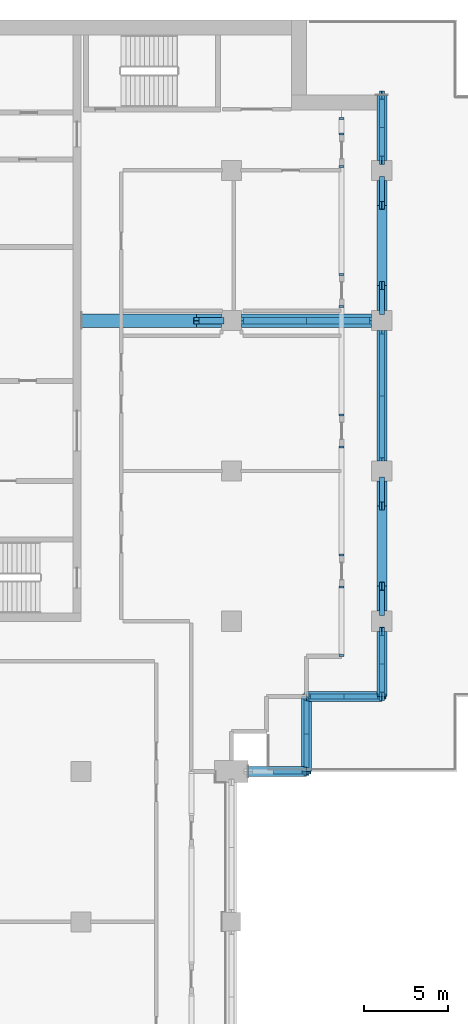
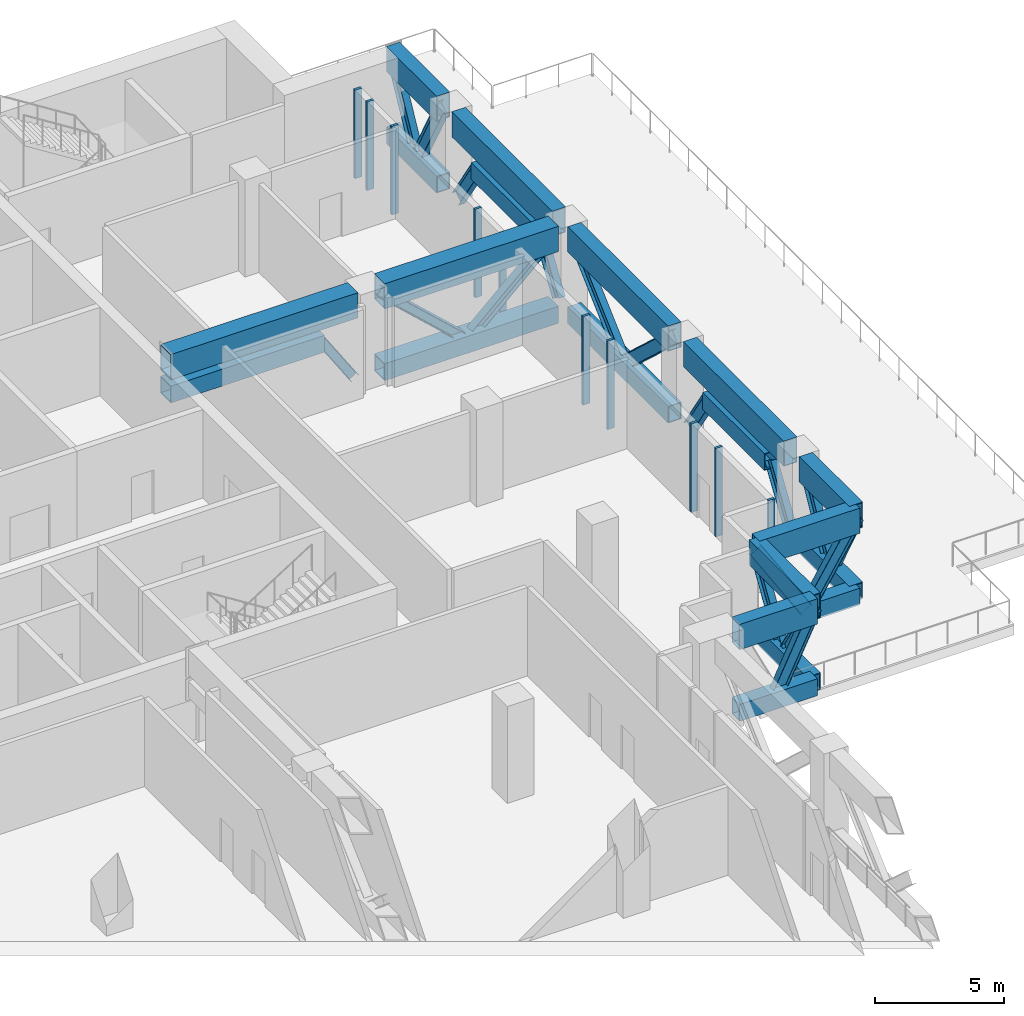
# One storey, part 3 of 20: 48 members.
"""IFC4 building model written with IfcOpenShell, lengths in metres."""

import ifcopenshell
import ifcopenshell.guid

model = None  # the IFC model being written
_history = None  # IfcOwnerHistory: only IFC2X3 demands one
_inside = {}  # id of a spatial element -> (the spatial element, [elements in it])
_under = {}  # id of a project, library or spatial element -> (it, [spatial elements below it])
_declared = {}  # id of a project -> (the project, [libraries it declares])
_typed = {}  # id of a type object -> (the type object, [elements of that type])
_made_of = {}  # id of a material, layer set ... -> (it, [elements and type objects made of it])


def new_model(schema):
    """Start an empty IFC model of exactly this schema.

    Asked for "IFC4X3", IfcOpenShell would pick the latest addendum, in which some entities
    have other attributes; the version numbers below select the first issue.
    IFC2X3 requires an IfcOwnerHistory on every rooted entity: one is made here for all.
    """
    global model, _history
    if schema == "IFC4X3":
        model = ifcopenshell.file(schema_version=(4, 3, 0, 0))
    else:
        model = ifcopenshell.file(schema=schema)
    _inside.clear()
    _under.clear()
    _declared.clear()
    _typed.clear()
    _made_of.clear()
    _history = None
    if model.schema == "IFC2X3":
        org = make("IfcOrganization", Name="unknown")
        user = make(
            "IfcPersonAndOrganization",
            ThePerson=make("IfcPerson", FamilyName="unknown"),
            TheOrganization=org,
        )
        app = make(
            "IfcApplication",
            ApplicationDeveloper=org,
            Version="unknown",
            ApplicationFullName="unknown",
            ApplicationIdentifier="unknown",
        )
        _history = make(
            "IfcOwnerHistory",
            OwningUser=user,
            OwningApplication=app,
            ChangeAction="ADDED",
            CreationDate=0,
        )
    return model


def make(cls, **values):
    """One entity of the class cls with the attributes given. An attribute that is None is left unset."""
    return model.create_entity(
        cls, **{name: value for name, value in values.items() if value is not None}
    )


def rooted(cls, **values):
    """An entity with a GlobalId (a new one), such as an element, a storey or a relation."""
    return make(cls, GlobalId=ifcopenshell.guid.new(), OwnerHistory=_history, **values)


def si_unit(unit_type, name, prefix=None):
    """IfcSIUnit, for example si_unit("LENGTHUNIT", "METRE", prefix="MILLI")."""
    return make("IfcSIUnit", UnitType=unit_type, Prefix=prefix, Name=name)


def assignment(units):
    """IfcUnitAssignment: the units of a project."""
    return None if units is None else make("IfcUnitAssignment", Units=units)


def point(xyz):
    """IfcCartesianPoint."""
    return None if xyz is None else make("IfcCartesianPoint", Coordinates=xyz)


def direction(xyz):
    """IfcDirection."""
    return None if xyz is None else make("IfcDirection", DirectionRatios=xyz)


def frame(location, z_axis=None, x_axis=None):
    """IfcAxis2Placement3D, a coordinate frame: its origin and axes. An axis left out is left unset."""
    return make(
        "IfcAxis2Placement3D",
        Location=point(location),
        Axis=direction(z_axis),
        RefDirection=direction(x_axis),
    )


def frame_2d(location, x_axis=None):
    """IfcAxis2Placement2D, a coordinate frame in the plane: its origin and x axis."""
    return make(
        "IfcAxis2Placement2D", Location=point(location), RefDirection=direction(x_axis)
    )


def origin():
    """The frame at (0, 0, 0) with its axes left unset."""
    return frame((0.0, 0.0, 0.0))


def origin_2d():
    """The frame at (0, 0) in the plane with its x axis left unset."""
    return frame_2d((0.0, 0.0))


def place(relative_to, where):
    """IfcLocalPlacement: puts the frame where relative to a parent placement (None: the world)."""
    return make(
        "IfcLocalPlacement", PlacementRelTo=relative_to, RelativePlacement=where
    )


def context(
    kind, dimensions, precision=None, world=None, true_north=None, identifier=None
):
    """IfcGeometricRepresentationContext, for example the 3D "Model" context."""
    return make(
        "IfcGeometricRepresentationContext",
        ContextIdentifier=identifier,
        ContextType=kind,
        CoordinateSpaceDimension=dimensions,
        Precision=precision,
        WorldCoordinateSystem=world,
        TrueNorth=true_north,
    )


def subcontext(parent, identifier, kind, view, scale=None):
    """IfcGeometricRepresentationSubContext, for example "Body" below "Model"."""
    return make(
        "IfcGeometricRepresentationSubContext",
        ContextIdentifier=identifier,
        ContextType=kind,
        ParentContext=parent,
        TargetScale=scale,
        TargetView=view,
    )


def project(units=None, contexts=None):
    """IfcProject with its units and contexts."""
    return rooted(
        "IfcProject",
        Name="project",
        RepresentationContexts=contexts,
        UnitsInContext=assignment(units),
    )


def spatial(cls, under=None, at=None, **own):
    """A site, building, storey or space (cls), placed at a placement, below another one or the project."""
    s = rooted(cls, ObjectPlacement=at, **own)
    if under is not None:
        _under.setdefault(under.id(), (under, []))[1].append(s)
    return s


def profile(cls, at=None, kind="AREA", **sizes):
    """A parametric profile (cls). Its sizes go by their IFC names, for example OverallWidth=200.0."""
    return make(cls, ProfileType=kind, Position=at, **sizes)


def rectangle(**sizes):
    """IfcRectangleProfileDef."""
    return profile("IfcRectangleProfileDef", **sizes)


def hollow_rectangle(**sizes):
    """IfcRectangleHollowProfileDef."""
    return profile("IfcRectangleHollowProfileDef", **sizes)


def i_section(**sizes):
    """IfcIShapeProfileDef."""
    return profile("IfcIShapeProfileDef", **sizes)


def extrude(swept, where, along, depth):
    """IfcExtrudedAreaSolid: the profile swept, set in the frame where, extruded along a direction by depth."""
    return make(
        "IfcExtrudedAreaSolid",
        SweptArea=swept,
        Position=where,
        ExtrudedDirection=direction(along),
        Depth=depth,
    )


def shape(context_of_items, identifier, shape_type, items):
    """IfcShapeRepresentation: the items that make up one representation, for example the "Body"."""
    return make(
        "IfcShapeRepresentation",
        ContextOfItems=context_of_items,
        RepresentationIdentifier=identifier,
        RepresentationType=shape_type,
        Items=items,
    )


def material(Name=None, Category=None):
    """IfcMaterial."""
    return make("IfcMaterial", Name=Name, Category=Category)


def material_profile(
    of_material, cross_section, Name=None, Category=None, Priority=None
):
    """IfcMaterialProfile: a cross section and its material."""
    return make(
        "IfcMaterialProfile",
        Name=Name,
        Material=of_material,
        Profile=cross_section,
        Priority=Priority,
        Category=Category,
    )


def profile_set(profiles, Name=None, composite=None):
    """IfcMaterialProfileSet."""
    return make(
        "IfcMaterialProfileSet",
        Name=Name,
        MaterialProfiles=profiles,
        CompositeProfile=composite,
    )


def made_of(thing, what):
    """Note that an element or type object is made of a material, layer set ...; save() writes the relation."""
    if what is not None:
        _made_of.setdefault(what.id(), (what, []))[1].append(thing)
    return thing


def type_object(cls, material=None, **own):
    """A type object (cls), such as IfcWallType, which elements share."""
    return made_of(rooted(cls, **own), material)


def element(
    cls,
    number,
    at=None,
    inside=None,
    cuts=None,
    type_object=None,
    material=None,
    context=None,
    identifier="Body",
    shape_type=None,
    held_by="IfcProductDefinitionShape",
    body=None,
    shapes=None,
    **own,
):
    """One element of the class cls, such as IfcWall. Its Tag is "e" and its number.

    at: its placement. inside: the storey or other place that contains it. cuts: it is an
    opening in that element (IfcRelVoidsElement). A single representation is given by context,
    identifier, shape_type and body (its items); several are given by shapes. held_by: the class
    of the entity that holds the representations. save() writes the other relations.
    """
    e = rooted(cls, Tag="e%d" % number, ObjectPlacement=at, **own)
    if body is not None:
        shapes = [shape(context, identifier, shape_type, body)]
    if shapes is not None:
        e.Representation = make(held_by, Representations=shapes)
    if inside is not None:
        _inside.setdefault(inside.id(), (inside, []))[1].append(e)
    if cuts is not None:
        rooted(
            "IfcRelVoidsElement", RelatingBuildingElement=cuts, RelatedOpeningElement=e
        )
    if type_object is not None:
        _typed.setdefault(type_object.id(), (type_object, []))[1].append(e)
    return made_of(e, material)


def aggregate(whole, parts):
    """IfcRelAggregates: a whole, such as a stair, and the parts it consists of."""
    return rooted("IfcRelAggregates", RelatingObject=whole, RelatedObjects=parts)


def save(model, path):
    """Write the relations noted so far, then the file.

    IfcRelAggregates (storeys below a building ...), IfcRelContainedInSpatialStructure (elements
    in a storey), IfcRelDefinesByType, IfcRelAssociatesMaterial and IfcRelDeclares: one each for
    every whole, place, type object, material and project.
    """
    for whole, parts in _under.values():
        aggregate(whole, parts)
    for where, things in _inside.values():
        rooted(
            "IfcRelContainedInSpatialStructure",
            RelatedElements=things,
            RelatingStructure=where,
        )
    for kind, things in _typed.values():
        rooted("IfcRelDefinesByType", RelatedObjects=things, RelatingType=kind)
    for what, things in _made_of.values():
        rooted("IfcRelAssociatesMaterial", RelatedObjects=things, RelatingMaterial=what)
    for by, libraries in _declared.values():
        rooted("IfcRelDeclares", RelatingContext=by, RelatedDefinitions=libraries)
    model.write(path)


model = new_model("IFC4")

# Units and contexts
model_context = context("Model", 3, precision=1e-05, world=origin(), true_north=direction((0.0, 1.0)))
body_context = subcontext(model_context, "Body", "Model", "MODEL_VIEW")
ifc_project = project(units=[si_unit("LENGTHUNIT", "METRE"), si_unit("AREAUNIT", "SQUARE_METRE"), si_unit("VOLUMEUNIT", "CUBIC_METRE"), si_unit("PLANEANGLEUNIT", "RADIAN"), si_unit("MASSUNIT", "GRAM", prefix="KILO")], contexts=[model_context])

# Site, building, storey
site_placement = place(None, origin())
site = spatial("IfcSite", under=ifc_project, at=site_placement, CompositionType="ELEMENT")
building_placement = place(site_placement, origin())
building = spatial("IfcBuilding", under=site, at=building_placement, Name="Hunhe Ridgeline Campus", CompositionType="ELEMENT")
storey_placement = place(building_placement, frame((0.0, 0.0, 178.199951171875)))
storey = spatial("IfcBuildingStorey", under=building, at=storey_placement, Name="L45", CompositionType="ELEMENT", Elevation=178.199951171875)

# Members
ifc_material_1 = material(Name="Steel Q420", Category="steel")
ifc_material_profile_1 = material_profile(ifc_material_1, hollow_rectangle(XDim=0.60009765625, YDim=0.800048828125, WallThickness=0.035888671875, at=origin_2d()))
ifc_profile_set_1 = profile_set([ifc_material_profile_1], Name="Steel Q420")
member_type_1 = type_object("IfcMemberType", Name="Belt truss bottom chord Box 800x600x36 Steel Q420", PredefinedType="CHORD", material=ifc_profile_set_1)
member_1_placement = place(storey_placement, frame((46.0, 54.0, 0.400146484375), z_axis=(1.0, 0.0, 0.0), x_axis=(0.0, 1.0, 0.0)))
element("IfcMember", 1, at=member_1_placement, inside=storey, type_object=member_type_1, Name="Belt truss BT1 bottom chord L45 42", PredefinedType="CHORD", context=body_context, shape_type="SweptSolid", body=[
    extrude(hollow_rectangle(XDim=0.60009765625, YDim=0.800048828125, WallThickness=0.035888671875, at=origin_2d()), origin(), (0.0, 0.0, 1.0), 3.5),
])
for number, where, z_axis, x_axis, name in (
    (2, (49.5, 54.0, 0.400146484375), (0.0, 1.0, 0.0), (-1.0, 0.0, 0.0), "Belt truss BT1 bottom chord L45 46"),
    (3, (49.5, 58.5, 0.400146484375), (1.0, 0.0, 0.0), (0.0, 1.0, 0.0), "Belt truss BT1 bottom chord L45 50"),
):
    element("IfcMember", number, at=place(storey_placement, frame(where, z_axis=z_axis, x_axis=x_axis)), inside=storey, type_object=member_type_1, Name=name, PredefinedType="CHORD", context=body_context, shape_type="SweptSolid", body=[
        extrude(hollow_rectangle(XDim=0.60009765625, YDim=0.800048828125, WallThickness=0.035888671875, at=origin_2d()), origin(), (0.0, 0.0, 1.0), 4.5),
    ])
member_2_placement = place(storey_placement, frame((54.0, 58.5, 0.400146484375), z_axis=(0.0, 1.0, 0.0), x_axis=(-1.0, 0.0, 0.0)))
element("IfcMember", 4, at=member_2_placement, inside=storey, type_object=member_type_1, Name="Belt truss BT1 bottom chord L45 54", PredefinedType="CHORD", context=body_context, shape_type="SweptSolid", body=[
    extrude(hollow_rectangle(XDim=0.60009765625, YDim=0.800048828125, WallThickness=0.035888671875, at=origin_2d()), origin(), (0.0, 0.0, 1.0), 3.89990234375),
])
member_3_placement = place(storey_placement, frame((54.0, 65.10009765625, 2.699951171875), z_axis=(0.0, 1.0, 0.0), x_axis=(-1.0, 0.0, 0.0)))
element("IfcMember", 5, at=member_3_placement, inside=storey, type_object=member_type_1, Name="Belt truss BT1 bottom chord L45 58", PredefinedType="CHORD", context=body_context, shape_type="SweptSolid", body=[
    extrude(hollow_rectangle(XDim=0.60009765625, YDim=0.800048828125, WallThickness=0.035888671875, at=origin_2d()), origin(), (0.0, 0.0, 1.0), 4.7998046875),
])
member_4_placement = place(storey_placement, frame((54.0, 72.60009765625, 0.400146484375), z_axis=(0.0, 1.0, 0.0), x_axis=(-1.0, 0.0, 0.0)))
element("IfcMember", 6, at=member_4_placement, inside=storey, type_object=member_type_1, Name="Belt truss BT1 bottom chord L45 62", PredefinedType="CHORD", context=body_context, shape_type="SweptSolid", body=[
    extrude(hollow_rectangle(XDim=0.60009765625, YDim=0.800048828125, WallThickness=0.035888671875, at=origin_2d()), origin(), (0.0, 0.0, 1.0), 7.7998046875),
])
member_5_placement = place(storey_placement, frame((54.0, 83.10009765625, 2.699951171875), z_axis=(0.0, 1.0, 0.0), x_axis=(-1.0, 0.0, 0.0)))
element("IfcMember", 7, at=member_5_placement, inside=storey, type_object=member_type_1, Name="Belt truss BT1 bottom chord L45 66", PredefinedType="CHORD", context=body_context, shape_type="SweptSolid", body=[
    extrude(hollow_rectangle(XDim=0.60009765625, YDim=0.800048828125, WallThickness=0.035888671875, at=origin_2d()), origin(), (0.0, 0.0, 1.0), 4.7998046875),
])
member_6_placement = place(storey_placement, frame((54.0, 90.60009765625, 0.400146484375), z_axis=(0.0, 1.0, 0.0), x_axis=(-1.0, 0.0, 0.0)))
element("IfcMember", 8, at=member_6_placement, inside=storey, type_object=member_type_1, Name="Belt truss BT1 bottom chord L45 70", PredefinedType="CHORD", context=body_context, shape_type="SweptSolid", body=[
    extrude(hollow_rectangle(XDim=0.60009765625, YDim=0.800048828125, WallThickness=0.035888671875, at=origin_2d()), origin(), (0.0, 0.0, 1.0), 3.89990234375),
])
ifc_material_profile_2 = material_profile(ifc_material_1, i_section(OverallWidth=0.300048828125, OverallDepth=0.58203125, WebThickness=0.011962890625, FlangeThickness=0.01708984375, FilletRadius=0.012939453125, at=origin_2d()))
ifc_profile_set_2 = profile_set([ifc_material_profile_2], Name="Steel Q420")
member_type_2 = type_object("IfcMemberType", Name="Belt truss diagonal HM582x300x12x17 Steel Q420", PredefinedType="BRACE", material=ifc_profile_set_2)
member_7_placement = place(storey_placement, frame((47.75, 54.0, 0.400146484375), z_axis=(0.437207096483, 0.0, 0.899360859046), x_axis=(0.0, 1.0, 0.0)))
element("IfcMember", 9, at=member_7_placement, inside=storey, type_object=member_type_2, Name="Belt truss BT1 diagonal L45 44", PredefinedType="BRACE", context=body_context, shape_type="SweptSolid", body=[
    extrude(i_section(OverallWidth=0.300048828125, OverallDepth=0.58203125, WebThickness=0.011962890625, FlangeThickness=0.01708984375, FilletRadius=0.012939453125, at=origin_2d()), origin(), (0.0, 0.0, 1.0), 4.002685546875),
])
for number, where, z_axis, x_axis, name in (
    (10, (49.5, 54.0, 4.0), (0.0, 0.530014448296, -0.847988611125), (-1.0, 0.0, 0.0), "Belt truss BT1 diagonal L45 47"),
    (11, (49.5, 56.25, 0.400146484375), (0.0, 0.530014448296, 0.847988611125), (-1.0, 0.0, 0.0), "Belt truss BT1 diagonal L45 48"),
    (12, (49.5, 58.5, 4.0), (0.530014448296, 0.0, -0.847988611125), (0.0, 1.0, 0.0), "Belt truss BT1 diagonal L45 51"),
    (13, (51.75, 58.5, 0.400146484375), (0.530014448296, 0.0, 0.847988611125), (0.0, 1.0, 0.0), "Belt truss BT1 diagonal L45 52"),
):
    element("IfcMember", number, at=place(storey_placement, frame(where, z_axis=z_axis, x_axis=x_axis)), inside=storey, type_object=member_type_2, Name=name, PredefinedType="BRACE", context=body_context, shape_type="SweptSolid", body=[
        extrude(i_section(OverallWidth=0.300048828125, OverallDepth=0.58203125, WebThickness=0.011962890625, FlangeThickness=0.01708984375, FilletRadius=0.012939453125, at=origin_2d()), origin(), (0.0, 0.0, 1.0), 4.2451171875),
    ])
for number, where, z_axis, x_axis, name in (
    (14, (54.0, 58.5, 4.0), (0.0, 0.476288911721, -0.879288844789), (-1.0, 0.0, 0.0), "Belt truss BT1 diagonal L45 55"),
    (15, (54.0, 60.449951171875, 0.400146484375), (0.0, 0.476288911721, 0.879288844789), (-1.0, 0.0, 0.0), "Belt truss BT1 diagonal L45 56"),
):
    element("IfcMember", number, at=place(storey_placement, frame(where, z_axis=z_axis, x_axis=x_axis)), inside=storey, type_object=member_type_2, Name=name, PredefinedType="BRACE", context=body_context, shape_type="SweptSolid", body=[
        extrude(i_section(OverallWidth=0.300048828125, OverallDepth=0.58203125, WebThickness=0.011962890625, FlangeThickness=0.01708984375, FilletRadius=0.012939453125, at=origin_2d()), origin(), (0.0, 0.0, 1.0), 4.093994140625),
    ])
for number, where, z_axis, x_axis, name in (
    (16, (54.0, 63.60009765625, 0.400146484375), (0.0, 0.546300327661, 0.837589369558), (-1.0, 0.0, 0.0), "Belt truss BT1 knee brace L45 59"),
    (17, (54.0, 69.89990234375, 2.699951171875), (0.0, 0.546300327661, -0.837589369558), (-1.0, 0.0, 0.0), "Belt truss BT1 knee brace L45 60"),
):
    element("IfcMember", number, at=place(storey_placement, frame(where, z_axis=z_axis, x_axis=x_axis)), inside=storey, type_object=member_type_2, Name=name, PredefinedType="BRACE", context=body_context, shape_type="SweptSolid", body=[
        extrude(i_section(OverallWidth=0.300048828125, OverallDepth=0.58203125, WebThickness=0.011962890625, FlangeThickness=0.01708984375, FilletRadius=0.012939453125, at=origin_2d()), origin(), (0.0, 0.0, 1.0), 2.745849609375),
    ])
for number, where, z_axis, x_axis, name in (
    (18, (54.0, 72.60009765625, 4.0), (0.0, 0.734808735374, -0.678274371046), (-1.0, 0.0, 0.0), "Belt truss BT1 diagonal L45 63"),
    (19, (54.0, 76.5, 0.400146484375), (0.0, 0.734808735374, 0.678274371046), (-1.0, 0.0, 0.0), "Belt truss BT1 diagonal L45 64"),
):
    element("IfcMember", number, at=place(storey_placement, frame(where, z_axis=z_axis, x_axis=x_axis)), inside=storey, type_object=member_type_2, Name=name, PredefinedType="BRACE", context=body_context, shape_type="SweptSolid", body=[
        extrude(i_section(OverallWidth=0.300048828125, OverallDepth=0.58203125, WebThickness=0.011962890625, FlangeThickness=0.01708984375, FilletRadius=0.012939453125, at=origin_2d()), origin(), (0.0, 0.0, 1.0), 5.307373046875),
    ])
for number, where, z_axis, x_axis, name in (
    (20, (54.0, 81.60009765625, 0.400146484375), (0.0, 0.546300327661, 0.837589369558), (-1.0, 0.0, 0.0), "Belt truss BT1 knee brace L45 67"),
    (21, (54.0, 87.89990234375, 2.699951171875), (0.0, 0.546300327661, -0.837589369558), (-1.0, 0.0, 0.0), "Belt truss BT1 knee brace L45 68"),
):
    element("IfcMember", number, at=place(storey_placement, frame(where, z_axis=z_axis, x_axis=x_axis)), inside=storey, type_object=member_type_2, Name=name, PredefinedType="BRACE", context=body_context, shape_type="SweptSolid", body=[
        extrude(i_section(OverallWidth=0.300048828125, OverallDepth=0.58203125, WebThickness=0.011962890625, FlangeThickness=0.01708984375, FilletRadius=0.012939453125, at=origin_2d()), origin(), (0.0, 0.0, 1.0), 2.745849609375),
    ])
for number, where, z_axis, x_axis, name in (
    (22, (54.0, 90.60009765625, 4.0), (0.0, 0.476288911721, -0.879288844789), (-1.0, 0.0, 0.0), "Belt truss BT1 diagonal L45 71"),
    (23, (54.0, 92.550048828125, 0.400146484375), (0.0, 0.476288911721, 0.879288844789), (-1.0, 0.0, 0.0), "Belt truss BT1 diagonal L45 72"),
):
    element("IfcMember", number, at=place(storey_placement, frame(where, z_axis=z_axis, x_axis=x_axis)), inside=storey, type_object=member_type_2, Name=name, PredefinedType="BRACE", context=body_context, shape_type="SweptSolid", body=[
        extrude(i_section(OverallWidth=0.300048828125, OverallDepth=0.58203125, WebThickness=0.011962890625, FlangeThickness=0.01708984375, FilletRadius=0.012939453125, at=origin_2d()), origin(), (0.0, 0.0, 1.0), 4.093994140625),
    ])
ifc_material_profile_3 = material_profile(ifc_material_1, hollow_rectangle(XDim=0.60009765625, YDim=1.199951171875, WallThickness=0.035888671875, at=origin_2d()))
ifc_profile_set_3 = profile_set([ifc_material_profile_3], Name="Steel Q420")
member_type_3 = type_object("IfcMemberType", Name="Belt truss top chord Box 1200x600x36 Steel Q420", PredefinedType="CHORD", material=ifc_profile_set_3)
member_8_placement = place(storey_placement, frame((46.0, 54.0, 4.0), z_axis=(1.0, 0.0, 0.0), x_axis=(0.0, 1.0, 0.0)))
element("IfcMember", 24, at=member_8_placement, inside=storey, type_object=member_type_3, Name="Belt truss BT1 top chord L45 41", PredefinedType="CHORD", context=body_context, shape_type="SweptSolid", body=[
    extrude(hollow_rectangle(XDim=0.60009765625, YDim=1.199951171875, WallThickness=0.035888671875, at=origin_2d()), origin(), (0.0, 0.0, 1.0), 3.5),
])
for number, where, z_axis, x_axis, name in (
    (25, (49.5, 54.0, 4.0), (0.0, 1.0, 0.0), (-1.0, 0.0, 0.0), "Belt truss BT1 top chord L45 45"),
    (26, (49.5, 58.5, 4.0), (1.0, 0.0, 0.0), (0.0, 1.0, 0.0), "Belt truss BT1 top chord L45 49"),
):
    element("IfcMember", number, at=place(storey_placement, frame(where, z_axis=z_axis, x_axis=x_axis)), inside=storey, type_object=member_type_3, Name=name, PredefinedType="CHORD", context=body_context, shape_type="SweptSolid", body=[
        extrude(hollow_rectangle(XDim=0.60009765625, YDim=1.199951171875, WallThickness=0.035888671875, at=origin_2d()), origin(), (0.0, 0.0, 1.0), 4.5),
    ])
member_9_placement = place(storey_placement, frame((54.0, 58.5, 4.0), z_axis=(0.0, 1.0, 0.0), x_axis=(-1.0, 0.0, 0.0)))
element("IfcMember", 27, at=member_9_placement, inside=storey, type_object=member_type_3, Name="Belt truss BT1 top chord L45 53", PredefinedType="CHORD", context=body_context, shape_type="SweptSolid", body=[
    extrude(hollow_rectangle(XDim=0.60009765625, YDim=1.199951171875, WallThickness=0.035888671875, at=origin_2d()), origin(), (0.0, 0.0, 1.0), 3.89990234375),
])
for number, where, z_axis, x_axis, name in (
    (28, (54.0, 63.60009765625, 4.0), (0.0, 1.0, 0.0), (-1.0, 0.0, 0.0), "Belt truss BT1 top chord L45 57"),
    (29, (54.0, 72.60009765625, 4.0), (0.0, 1.0, 0.0), (-1.0, 0.0, 0.0), "Belt truss BT1 top chord L45 61"),
    (30, (54.0, 81.60009765625, 4.0), (0.0, 1.0, 0.0), (-1.0, 0.0, 0.0), "Belt truss BT1 top chord L45 65"),
):
    element("IfcMember", number, at=place(storey_placement, frame(where, z_axis=z_axis, x_axis=x_axis)), inside=storey, type_object=member_type_3, Name=name, PredefinedType="CHORD", context=body_context, shape_type="SweptSolid", body=[
        extrude(hollow_rectangle(XDim=0.60009765625, YDim=1.199951171875, WallThickness=0.035888671875, at=origin_2d()), origin(), (0.0, 0.0, 1.0), 7.7998046875),
    ])
member_10_placement = place(storey_placement, frame((54.0, 90.60009765625, 4.0), z_axis=(0.0, 1.0, 0.0), x_axis=(-1.0, 0.0, 0.0)))
element("IfcMember", 31, at=member_10_placement, inside=storey, type_object=member_type_3, Name="Belt truss BT1 top chord L45 69", PredefinedType="CHORD", context=body_context, shape_type="SweptSolid", body=[
    extrude(hollow_rectangle(XDim=0.60009765625, YDim=1.199951171875, WallThickness=0.035888671875, at=origin_2d()), origin(), (0.0, 0.0, 1.0), 3.89990234375),
])
ifc_material_2 = material(Name="Aluminium 6063", Category="aluminium")
ifc_material_profile_4 = material_profile(ifc_material_2, rectangle(XDim=0.300048828125, YDim=0.1201171875, at=origin_2d()))
ifc_profile_set_4 = profile_set([ifc_material_profile_4], Name="Aluminium 6063")
member_type_4 = type_object("IfcMemberType", Name="Louvre frame jamb 120x300 Aluminium 6063", PredefinedType="USERDEFINED", material=ifc_profile_set_4)
for number, where, z_axis, x_axis, name in (
    (32, (51.59912109375, 60.9609375, 0.0), (0.0, 0.0, 1.0), (-1.0, 0.0, 0.0), "Louvre frame jamb 20a"),
    (33, (51.59912109375, 65.040771484375, 0.0), (0.0, 0.0, 1.0), (-1.0, 0.0, 0.0), "Louvre frame jamb 20b"),
    (34, (51.59912109375, 66.9609375, 0.0), (0.0, 0.0, 1.0), (-1.0, 0.0, 0.0), "Louvre frame jamb 21a"),
    (35, (51.59912109375, 73.440673828125, 0.0), (0.0, 0.0, 1.0), (-1.0, 0.0, 0.0), "Louvre frame jamb 21b"),
    (36, (51.59912109375, 75.360595703125, 0.0), (0.0, 0.0, 1.0), (-1.0, 0.0, 0.0), "Louvre frame jamb 22a"),
    (37, (51.59912109375, 81.84033203125, 0.0), (0.0, 0.0, 1.0), (-1.0, 0.0, 0.0), "Louvre frame jamb 22b"),
    (38, (51.59912109375, 83.76025390625, 0.0), (0.0, 0.0, 1.0), (-1.0, 0.0, 0.0), "Louvre frame jamb 23a"),
    (39, (51.59912109375, 90.240234375, 0.0), (0.0, 0.0, 1.0), (-1.0, 0.0, 0.0), "Louvre frame jamb 23b"),
    (40, (51.59912109375, 92.16015625, 0.0), (0.0, 0.0, 1.0), (-1.0, 0.0, 0.0), "Louvre frame jamb 24a"),
    (41, (51.59912109375, 93.090087890625, 0.0), (0.0, 0.0, 1.0), (-1.0, 0.0, 0.0), "Louvre frame jamb 24b"),
):
    element("IfcMember", number, at=place(storey_placement, frame(where, z_axis=z_axis, x_axis=x_axis)), inside=storey, type_object=member_type_4, Name=name, ObjectType="LOUVRE FRAME", PredefinedType="USERDEFINED", context=body_context, shape_type="SweptSolid", body=[
        extrude(rectangle(XDim=0.300048828125, YDim=0.1201171875, at=origin_2d()), origin(), (0.0, 0.0, 1.0), 4.199951171875),
    ])
ifc_material_profile_5 = material_profile(ifc_material_1, hollow_rectangle(XDim=0.800048828125, YDim=0.800048828125, WallThickness=0.044921875, at=origin_2d()))
ifc_profile_set_5 = profile_set([ifc_material_profile_5], Name="Steel Q420")
member_type_5 = type_object("IfcMemberType", Name="Outrigger truss bottom chord Box 800x800x45 Steel Q420", PredefinedType="CHORD", material=ifc_profile_set_5)
member_11_placement = place(storey_placement, frame((36.0, 81.0, 2.699951171875), z_axis=(1.0, 0.0, 0.0), x_axis=(0.0, 1.0, 0.0)))
element("IfcMember", 42, at=member_11_placement, inside=storey, type_object=member_type_5, Name="Outrigger truss OR1 bottom chord L45 2", PredefinedType="CHORD", context=body_context, shape_type="SweptSolid", body=[
    extrude(hollow_rectangle(XDim=0.800048828125, YDim=0.800048828125, WallThickness=0.044921875, at=origin_2d()), origin(), (0.0, 0.0, 1.0), 6.89990234375),
])
member_12_placement = place(storey_placement, frame((45.60009765625, 81.0, 0.400146484375), z_axis=(1.0, 0.0, 0.0), x_axis=(0.0, 1.0, 0.0)))
element("IfcMember", 43, at=member_12_placement, inside=storey, type_object=member_type_5, Name="Outrigger truss OR1 bottom chord L45 5", PredefinedType="CHORD", context=body_context, shape_type="SweptSolid", body=[
    extrude(hollow_rectangle(XDim=0.800048828125, YDim=0.800048828125, WallThickness=0.044921875, at=origin_2d()), origin(), (0.0, 0.0, 1.0), 7.7998046875),
])
ifc_material_profile_6 = material_profile(ifc_material_1, i_section(OverallWidth=0.39990234375, OverallDepth=0.39990234375, WebThickness=0.012939453125, FlangeThickness=0.02099609375, FilletRadius=0.02197265625, at=origin_2d()))
ifc_profile_set_6 = profile_set([ifc_material_profile_6], Name="Steel Q420")
member_type_6 = type_object("IfcMemberType", Name="Outrigger truss diagonal HW400x400x13x21 Steel Q420", PredefinedType="BRACE", material=ifc_profile_set_6)
member_13_placement = place(storey_placement, frame((42.89990234375, 81.0, 2.699951171875), z_axis=(0.546300327661, 0.0, -0.837589369558), x_axis=(0.0, 1.0, 0.0)))
element("IfcMember", 44, at=member_13_placement, inside=storey, type_object=member_type_6, Name="Outrigger truss OR1 knee brace L45 3", PredefinedType="BRACE", context=body_context, shape_type="SweptSolid", body=[
    extrude(i_section(OverallWidth=0.39990234375, OverallDepth=0.39990234375, WebThickness=0.012939453125, FlangeThickness=0.02099609375, FilletRadius=0.02197265625, at=origin_2d()), origin(), (0.0, 0.0, 1.0), 2.745849609375),
])
for number, where, z_axis, x_axis, name in (
    (45, (45.60009765625, 81.0, 4.0), (0.734808735374, 0.0, -0.678274371046), (0.0, 1.0, 0.0), "Outrigger truss OR1 diagonal L45 6"),
    (46, (49.5, 81.0, 0.400146484375), (0.734808735374, 0.0, 0.678274371046), (0.0, 1.0, 0.0), "Outrigger truss OR1 diagonal L45 7"),
):
    element("IfcMember", number, at=place(storey_placement, frame(where, z_axis=z_axis, x_axis=x_axis)), inside=storey, type_object=member_type_6, Name=name, PredefinedType="BRACE", context=body_context, shape_type="SweptSolid", body=[
        extrude(i_section(OverallWidth=0.39990234375, OverallDepth=0.39990234375, WebThickness=0.012939453125, FlangeThickness=0.02099609375, FilletRadius=0.02197265625, at=origin_2d()), origin(), (0.0, 0.0, 1.0), 5.307373046875),
    ])
ifc_material_profile_7 = material_profile(ifc_material_1, hollow_rectangle(XDim=0.800048828125, YDim=1.199951171875, WallThickness=0.044921875, at=origin_2d()))
ifc_profile_set_7 = profile_set([ifc_material_profile_7], Name="Steel Q420")
member_type_7 = type_object("IfcMemberType", Name="Outrigger truss top chord Box 1200x800x45 Steel Q420", PredefinedType="CHORD", material=ifc_profile_set_7)
member_14_placement = place(storey_placement, frame((36.0, 81.0, 4.0), z_axis=(1.0, 0.0, 0.0), x_axis=(0.0, 1.0, 0.0)))
element("IfcMember", 47, at=member_14_placement, inside=storey, type_object=member_type_7, Name="Outrigger truss OR1 top chord L45 1", PredefinedType="CHORD", context=body_context, shape_type="SweptSolid", body=[
    extrude(hollow_rectangle(XDim=0.800048828125, YDim=1.199951171875, WallThickness=0.044921875, at=origin_2d()), origin(), (0.0, 0.0, 1.0), 8.39990234375),
])
member_15_placement = place(storey_placement, frame((45.60009765625, 81.0, 4.0), z_axis=(1.0, 0.0, 0.0), x_axis=(0.0, 1.0, 0.0)))
element("IfcMember", 48, at=member_15_placement, inside=storey, type_object=member_type_7, Name="Outrigger truss OR1 top chord L45 4", PredefinedType="CHORD", context=body_context, shape_type="SweptSolid", body=[
    extrude(hollow_rectangle(XDim=0.800048828125, YDim=1.199951171875, WallThickness=0.044921875, at=origin_2d()), origin(), (0.0, 0.0, 1.0), 7.7998046875),
])

save(model, "model.ifc")
